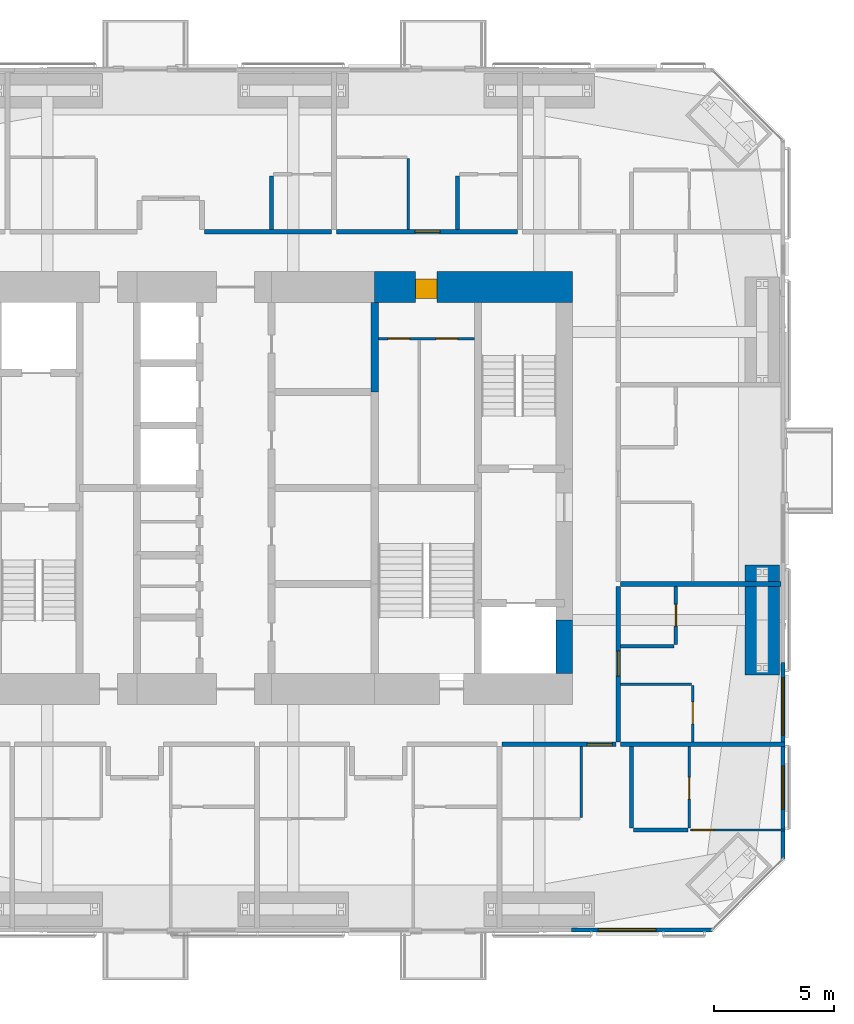
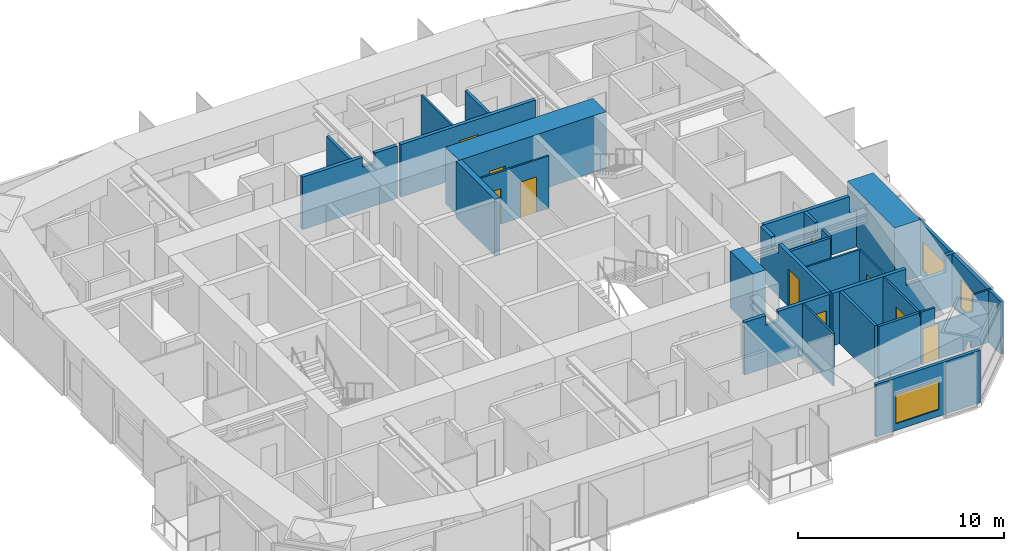
# One storey, part 19 of 22: 25 walls, 10 doors, 3 windows, 13 openings.
"""IFC4 building model written with IfcOpenShell, lengths in metres."""

from ifc_helpers import new_model, si_unit, direction, frame, frame_2d, origin, place, context, subcontext, project, spatial, polyline, rectangle, outline, extrude, material, layer, layer_set, constituent, constituent_set, type_object, element, fill, save


model = new_model("IFC4")

# Units and contexts
model_context = context("Model", 3, precision=1e-05, world=origin(), true_north=direction((0.0, 1.0)))
body_context = subcontext(model_context, "Body", "Model", "MODEL_VIEW")
ifc_project = project(units=[si_unit("LENGTHUNIT", "METRE"), si_unit("AREAUNIT", "SQUARE_METRE"), si_unit("VOLUMEUNIT", "CUBIC_METRE"), si_unit("PLANEANGLEUNIT", "RADIAN"), si_unit("MASSUNIT", "GRAM", prefix="KILO")], contexts=[model_context])

# Site, building, storey
site_placement = place(None, origin())
site = spatial("IfcSite", under=ifc_project, at=site_placement, CompositionType="ELEMENT")
building_placement = place(site_placement, origin())
building = spatial("IfcBuilding", under=site, at=building_placement, Name="Jalousie Tower", CompositionType="ELEMENT")
storey_placement = place(building_placement, frame((0.0, 0.0, 154.35009765625)))
storey = spatial("IfcBuildingStorey", under=building, at=storey_placement, Name="L41", CompositionType="ELEMENT", Elevation=154.35009765625)

# Walls
ifc_material_1 = material(Name="Concrete block ASTM C90", Category="concrete")
ifc_constituent_1 = constituent(ifc_material_1, Name="Body")
ifc_material_2 = material(Name="Render")
ifc_constituent_2 = constituent(ifc_material_2, Name="Finish")
ifc_constituent_set_1 = constituent_set(constituents=[ifc_constituent_1, ifc_constituent_2])
wall_type_1 = type_object("IfcWallType", Name="BATHROOM WALL 150", PredefinedType="PLUMBINGWALL", material=ifc_constituent_set_1)
wall_1_placement = place(storey_placement, frame((46.675048828125, 4.251708984375, 0.0), z_axis=(0.0, 0.0, 1.0), x_axis=(1.0, 0.0, 0.0)))
element("IfcWall", 1, at=wall_1_placement, inside=storey, type_object=wall_type_1, Name="Bathroom Wall 150 L41", PredefinedType="PLUMBINGWALL", context=body_context, shape_type="SweptSolid", body=[
    extrude(rectangle(XDim=2.27490234375, YDim=0.14990234375, at=frame_2d((1.137451171875, 0.0))), origin(), (0.0, 0.0, 1.0), 3.10986328125),
])
wall_2_placement = place(storey_placement, frame((46.60009765625, 4.32666015625, 0.0), z_axis=(0.0, 0.0, 1.0), x_axis=(0.0, 1.0, 0.0)))
element("IfcWall", 2, at=wall_2_placement, inside=storey, type_object=wall_type_1, Name="Bathroom Wall 150 L41", PredefinedType="PLUMBINGWALL", context=body_context, shape_type="SweptSolid", body=[
    extrude(rectangle(XDim=3.3984375, YDim=0.14990234375, at=frame_2d((1.69921875, 0.0))), origin(), (0.0, 0.0, 1.0), 3.10986328125),
])
for number, where, z_axis, x_axis, name in (
    (3, (31.60009765625, 31.5, 0.0), (0.0, 0.0, 1.0), (0.0, -1.0, 0.0), "Bathroom Wall 150 L41"),
    (4, (39.35009765625, 31.5, 0.0), (0.0, 0.0, 1.0), (0.0, -1.0, 0.0), "Bathroom Wall 150 L41"),
):
    element("IfcWall", number, at=place(storey_placement, frame(where, z_axis=z_axis, x_axis=x_axis)), inside=storey, type_object=wall_type_1, Name=name, PredefinedType="PLUMBINGWALL", context=body_context, shape_type="SweptSolid", body=[
        extrude(rectangle(XDim=2.22509765625, YDim=0.14990234375, at=frame_2d((1.112548828125, 0.0))), origin(), (0.0, 0.0, 1.0), 3.10986328125),
    ])

# Wall, opening, door
wall_3_placement = place(storey_placement, frame((48.449951171875, 11.97509765625, 0.0), z_axis=(0.0, 0.0, 1.0), x_axis=(0.0, 1.0, 0.0)))
wall_3 = element("IfcWall", 5, at=wall_3_placement, inside=storey, type_object=wall_type_1, Name="Bathroom Wall 150 L41", PredefinedType="PLUMBINGWALL", context=body_context, shape_type="SweptSolid", body=[
    extrude(outline(polyline([(0.0, 0.0), (2.4248046875, 0.0), (2.425048828125, 3.10986328125), (1.34619140625, 3.10986328125), (1.34619140625, 2.531005859375), (0.703857421875, 2.531005859375), (0.703857421875, 3.10986328125), (0.0, 3.10986328125), (0.0, 0.0)])), frame((0.0, 0.074951171875, 0.0), z_axis=(0.0, -1.0, 0.0), x_axis=(1.0, 0.0, 0.0)), (0.0, 0.0, 1.0), 0.14990234375),
])
opening_1_placement = place(wall_3_placement, frame((0.77490234375, 0.0, 0.0)))
opening_1 = element("IfcOpeningElement", 6, at=opening_1_placement, cuts=wall_3, Name="Opening D3", PredefinedType="OPENING", context=body_context, shape_type="SweptSolid", body=[
    extrude(rectangle(XDim=0.89990234375, YDim=2.10009765625, at=frame_2d((0.449951171875, 1.050048828125))), frame((0.0, 0.0849609375, 0.0), z_axis=(0.0, -1.0, 0.0), x_axis=(1.0, 0.0, 0.0)), (0.0, 0.0, 1.0), 0.169921875),
])
ifc_material_3 = material(Name="Timber door", Category="wood")
door_type_1 = type_object("IfcDoorType", Name="BATHROOM DOOR 900", OperationType="SINGLE_SWING_LEFT", PredefinedType="DOOR", material=ifc_material_3)
door_1_placement = place(opening_1_placement, origin())
door_1 = element("IfcDoor", 7, at=door_1_placement, inside=storey, type_object=door_type_1, Name="Apartment 4110 bathroom door", OperationType="SINGLE_SWING_RIGHT", OverallHeight=2.10009765625, OverallWidth=0.89990234375, PredefinedType="DOOR", context=body_context, shape_type="SweptSolid", body=[
    extrude(rectangle(XDim=0.89990234375, YDim=2.10009765625, at=frame_2d((0.449951171875, 1.050048828125))), frame((0.0, 0.02490234375, 0.0), z_axis=(0.0, -1.0, 0.0), x_axis=(1.0, 0.0, 0.0)), (0.0, 0.0, 1.0), 0.050048828125),
])
fill(opening_1, door_1)

# Wall
wall_4_placement = place(storey_placement, frame((48.375, 11.89990234375, 0.0), z_axis=(0.0, 0.0, 1.0), x_axis=(-1.0, 0.0, 0.0)))
element("IfcWall", 8, at=wall_4_placement, inside=storey, type_object=wall_type_1, Name="Bathroom Wall 150 L41", PredefinedType="PLUMBINGWALL", context=body_context, shape_type="SweptSolid", body=[
    extrude(rectangle(XDim=2.22509765625, YDim=0.14990234375, at=frame_2d((1.112548828125, 0.0))), origin(), (0.0, 0.0, 1.0), 3.10986328125),
])

# Wall, opening, door
ifc_material_4 = material(Name="Concrete f'c 120 MPa", Category="concrete")
ifc_layer_1 = layer(ifc_material_4, 1.300048828125)
ifc_layer_set_1 = layer_set([ifc_layer_1], Name="Concrete f'c 120 MPa")
wall_type_2 = type_object("IfcWallType", Name="CORE WALL 1300", PredefinedType="SHEAR", material=ifc_layer_set_1)
wall_5_placement = place(storey_placement, frame((44.14990234375, 26.875, 0.0), z_axis=(0.0, 0.0, 1.0), x_axis=(-1.0, 0.0, 0.0)))
wall_5 = element("IfcWall", 9, at=wall_5_placement, inside=storey, type_object=wall_type_2, Name="Core wall NA L41", PredefinedType="SHEAR", context=body_context, shape_type="SweptSolid", body=[
    extrude(rectangle(XDim=8.25, YDim=1.300048828125, at=frame_2d((4.125, 0.0))), origin(), (0.0, 0.0, 1.0), 3.349853515625),
])
opening_2_placement = place(wall_5_placement, frame((5.64990234375, 0.0, 0.0)))
opening_2 = element("IfcOpeningElement", 10, at=opening_2_placement, cuts=wall_5, Name="Opening D25", PredefinedType="OPENING", context=body_context, shape_type="SweptSolid", body=[
    extrude(rectangle(XDim=0.89990234375, YDim=2.10009765625, at=frame_2d((0.449951171875, 1.050048828125))), frame((0.0, 0.659912109375, 0.0), z_axis=(0.0, -1.0, 0.0), x_axis=(1.0, 0.0, 0.0)), (0.0, 0.0, 1.0), 1.320068359375),
])
ifc_material_5 = material(Name="Steel fire door", Category="steel")
door_type_2 = type_object("IfcDoorType", Name="SERVICE LOBBY DOOR 900", OperationType="SINGLE_SWING_LEFT", PredefinedType="DOOR", material=ifc_material_5)
door_2_placement = place(opening_2_placement, origin())
door_2 = element("IfcDoor", 11, at=door_2_placement, inside=storey, type_object=door_type_2, Name="Service lobby door", OperationType="SINGLE_SWING_RIGHT", OverallHeight=2.10009765625, OverallWidth=0.89990234375, PredefinedType="DOOR", context=body_context, shape_type="SweptSolid", body=[
    extrude(rectangle(XDim=0.89990234375, YDim=2.10009765625, at=frame_2d((0.449951171875, 1.050048828125))), frame((0.0, 0.47021484375, 0.0), z_axis=(0.0, -1.0, 0.0), x_axis=(1.0, 0.0, 0.0)), (0.0, 0.0, 1.0), 0.800048828125),
])
fill(opening_2, door_2)

# Walls
ifc_material_6 = material(Name="Concrete f'c 120 MPa", Category="concrete")
ifc_layer_2 = layer(ifc_material_6, 0.300048828125)
ifc_layer_set_2 = layer_set([ifc_layer_2], Name="Concrete f'c 120 MPa")
wall_type_3 = type_object("IfcWallType", Name="CORE WALL 300", PredefinedType="SHEAR", material=ifc_layer_set_2)
wall_6_placement = place(storey_placement, frame((35.89990234375, 22.5, 0.0), z_axis=(0.0, 0.0, 1.0), x_axis=(0.0, 1.0, 0.0)))
element("IfcWall", 12, at=wall_6_placement, inside=storey, type_object=wall_type_3, Name="Core wall X35.9D L41", PredefinedType="SHEAR", context=body_context, shape_type="SweptSolid", body=[
    extrude(rectangle(XDim=3.72509765625, YDim=0.300048828125, at=frame_2d((1.862548828125, 0.0))), origin(), (0.0, 0.0, 1.0), 3.349853515625),
])
ifc_material_7 = material(Name="Concrete f'c 120 MPa", Category="concrete")
ifc_layer_3 = layer(ifc_material_7, 0.699951171875)
ifc_layer_set_3 = layer_set([ifc_layer_3], Name="Concrete f'c 120 MPa")
wall_type_4 = type_object("IfcWallType", Name="CORE WALL 700", PredefinedType="SHEAR", material=ifc_layer_set_3)
wall_7_placement = place(storey_placement, frame((43.800048828125, 10.77490234375, 0.0), z_axis=(0.0, 0.0, 1.0), x_axis=(0.0, 1.0, 0.0)))
element("IfcWall", 13, at=wall_7_placement, inside=storey, type_object=wall_type_4, Name="Core wall EA L41", PredefinedType="SHEAR", context=body_context, shape_type="SweptSolid", body=[
    extrude(rectangle(XDim=2.22509765625, YDim=0.699951171875, at=frame_2d((1.112548828125, 0.0))), origin(), (0.0, 0.0, 1.0), 3.349853515625),
])

# Wall, opening, door
ifc_material_8 = material(Name="Concrete block ASTM C90", Category="concrete")
ifc_constituent_3 = constituent(ifc_material_8, Name="Body")
ifc_material_9 = material(Name="Render")
ifc_constituent_4 = constituent(ifc_material_9, Name="Finish")
ifc_constituent_set_2 = constituent_set(constituents=[ifc_constituent_3, ifc_constituent_4])
wall_type_5 = type_object("IfcWallType", Name="CORRIDOR WALL 200", PredefinedType="PARTITIONING", material=ifc_constituent_set_2)
wall_8_placement = place(storey_placement, frame((41.199951171875, 7.824951171875, 0.0), z_axis=(0.0, 0.0, 1.0), x_axis=(1.0, 0.0, 0.0)))
wall_8 = element("IfcWall", 14, at=wall_8_placement, inside=storey, type_object=wall_type_5, Name="Corridor Wall 200 L41", PredefinedType="PARTITIONING", context=body_context, shape_type="SweptSolid", body=[
    extrude(outline(polyline([(0.0, 0.0), (4.75, 0.0), (4.75, 3.10986328125), (1.896240234375, 3.10986328125), (1.896240234375, 2.531005859375), (1.203857421875, 2.531005859375), (1.203857421875, 3.10986328125), (0.0, 3.10986328125), (0.0, 0.0)])), frame((0.0, 0.10009765625, 0.0), z_axis=(0.0, -1.0, 0.0), x_axis=(1.0, 0.0, 0.0)), (0.0, 0.0, 1.0), 0.199951171875),
])
opening_3_placement = place(wall_8_placement, frame((3.550048828125, 0.0, 0.0)))
opening_3 = element("IfcOpeningElement", 15, at=opening_3_placement, cuts=wall_8, Name="Opening D1", PredefinedType="OPENING", context=body_context, shape_type="SweptSolid", body=[
    extrude(rectangle(XDim=1.050048828125, YDim=2.199951171875, at=frame_2d((0.52490234375, 1.10009765625))), frame((0.0, 0.10986328125, 0.0), z_axis=(0.0, -1.0, 0.0), x_axis=(1.0, 0.0, 0.0)), (0.0, 0.0, 1.0), 0.219970703125),
])
ifc_material_10 = material(Name="Timber fire door", Category="wood")
door_type_3 = type_object("IfcDoorType", Name="APARTMENT ENTRANCE DOOR 1050", OperationType="SINGLE_SWING_LEFT", PredefinedType="DOOR", material=ifc_material_10)
door_3_placement = place(opening_3_placement, frame((1.050048828125, 0.0, 0.0), z_axis=(0.0, 0.0, 1.0), x_axis=(-1.0, 0.0, 0.0)))
door_3 = element("IfcDoor", 16, at=door_3_placement, inside=storey, type_object=door_type_3, Name="Apartment 4104 entrance", OperationType="SINGLE_SWING_RIGHT", OverallHeight=2.199951171875, OverallWidth=1.050048828125, PredefinedType="DOOR", context=body_context, shape_type="SweptSolid", body=[
    extrude(rectangle(XDim=1.050048828125, YDim=2.199951171875, at=frame_2d((0.52490234375, 1.10009765625))), frame((0.0, 0.02490234375, 0.0), z_axis=(0.0, -1.0, 0.0), x_axis=(1.0, 0.0, 0.0)), (0.0, 0.0, 1.0), 0.050048828125),
])
fill(opening_3, door_3)

wall_9_placement = place(storey_placement, frame((34.300048828125, 29.175048828125, 0.0), z_axis=(0.0, 0.0, 1.0), x_axis=(1.0, 0.0, 0.0)))
wall_9 = element("IfcWall", 17, at=wall_9_placement, inside=storey, type_object=wall_type_5, Name="Corridor Wall 200 L41", PredefinedType="PARTITIONING", context=body_context, shape_type="SweptSolid", body=[
    extrude(rectangle(XDim=7.550048828125, YDim=0.199951171875, at=frame_2d((3.77490234375, 0.0))), origin(), (0.0, 0.0, 1.0), 3.10986328125),
])
opening_4_placement = place(wall_9_placement, frame((3.27490234375, 0.0, 0.0)))
opening_4 = element("IfcOpeningElement", 18, at=opening_4_placement, cuts=wall_9, Name="Opening D1", PredefinedType="OPENING", context=body_context, shape_type="SweptSolid", body=[
    extrude(rectangle(XDim=1.050048828125, YDim=2.199951171875, at=frame_2d((0.52490234375, 1.10009765625))), frame((0.0, 0.10986328125, 0.0), z_axis=(0.0, -1.0, 0.0), x_axis=(1.0, 0.0, 0.0)), (0.0, 0.0, 1.0), 0.219970703125),
])
door_4_placement = place(opening_4_placement, origin())
door_4 = element("IfcDoor", 19, at=door_4_placement, inside=storey, type_object=door_type_3, Name="Apartment 4107 entrance", OperationType="SINGLE_SWING_LEFT", OverallHeight=2.199951171875, OverallWidth=1.050048828125, PredefinedType="DOOR", context=body_context, shape_type="SweptSolid", body=[
    extrude(rectangle(XDim=1.050048828125, YDim=2.199951171875, at=frame_2d((0.52490234375, 1.10009765625))), frame((0.0, 0.02490234375, 0.0), z_axis=(0.0, -1.0, 0.0), x_axis=(1.0, 0.0, 0.0)), (0.0, 0.0, 1.0), 0.050048828125),
])
fill(opening_4, door_4)

wall_10_placement = place(storey_placement, frame((46.050048828125, 7.925048828125, 0.0), z_axis=(0.0, 0.0, 1.0), x_axis=(0.0, 1.0, 0.0)))
wall_10 = element("IfcWall", 20, at=wall_10_placement, inside=storey, type_object=wall_type_5, Name="Corridor Wall 200 L41", PredefinedType="PARTITIONING", context=body_context, shape_type="SweptSolid", body=[
    extrude(outline(polyline([(0.0, 0.0), (6.474853515625, 0.0), (6.47509765625, 3.10986328125), (5.421142578125, 3.10986328125), (5.421142578125, 2.531005859375), (4.728759765625, 2.531005859375), (4.728759765625, 3.10986328125), (0.0, 3.10986328125), (0.0, 0.0)])), frame((0.0, 0.10009765625, 0.0), z_axis=(0.0, -1.0, 0.0), x_axis=(1.0, 0.0, 0.0)), (0.0, 0.0, 1.0), 0.199951171875),
])
opening_5_placement = place(wall_10_placement, frame((2.737548828125, 0.0, 0.0)))
opening_5 = element("IfcOpeningElement", 21, at=opening_5_placement, cuts=wall_10, Name="Opening D1", PredefinedType="OPENING", context=body_context, shape_type="SweptSolid", body=[
    extrude(rectangle(XDim=1.050048828125, YDim=2.199951171875, at=frame_2d((0.52490234375, 1.10009765625))), frame((0.0, 0.10986328125, 0.0), z_axis=(0.0, -1.0, 0.0), x_axis=(1.0, 0.0, 0.0)), (0.0, 0.0, 1.0), 0.219970703125),
])
door_5_placement = place(opening_5_placement, frame((1.050048828125, 0.0, 0.0), z_axis=(0.0, 0.0, 1.0), x_axis=(-1.0, 0.0, 0.0)))
door_5 = element("IfcDoor", 22, at=door_5_placement, inside=storey, type_object=door_type_3, Name="Apartment 4110 entrance", OperationType="SINGLE_SWING_LEFT", OverallHeight=2.199951171875, OverallWidth=1.050048828125, PredefinedType="DOOR", context=body_context, shape_type="SweptSolid", body=[
    extrude(rectangle(XDim=1.050048828125, YDim=2.199951171875, at=frame_2d((0.52490234375, 1.10009765625))), frame((0.0, 0.02490234375, 0.0), z_axis=(0.0, -1.0, 0.0), x_axis=(1.0, 0.0, 0.0)), (0.0, 0.0, 1.0), 0.050048828125),
])
fill(opening_5, door_5)

# Wall
wall_11_placement = place(storey_placement, frame((28.800048828125, 29.175048828125, 0.0), z_axis=(0.0, 0.0, 1.0), x_axis=(1.0, 0.0, 0.0)))
element("IfcWall", 23, at=wall_11_placement, inside=storey, type_object=wall_type_5, Name="Corridor Wall 200 L41", PredefinedType="PARTITIONING", context=body_context, shape_type="SweptSolid", body=[
    extrude(outline(polyline([(0.0, 0.0), (5.300048828125, 0.0), (5.300048828125, 3.10986328125), (4.046142578125, 3.10986328125), (4.046142578125, 2.531005859375), (3.353759765625, 2.531005859375), (3.353759765625, 3.10986328125), (0.0, 3.10986328125), (0.0, 0.0)])), frame((0.0, 0.10009765625, 0.0), z_axis=(0.0, -1.0, 0.0), x_axis=(1.0, 0.0, 0.0)), (0.0, 0.0, 1.0), 0.199951171875),
])

# Wall, opening, window
ifc_material_11 = material(Name="Concrete f'c 40 MPa", Category="concrete")
ifc_constituent_5 = constituent(ifc_material_11, Name="Body")
ifc_material_12 = material(Name="Render, pastel lemon")
ifc_constituent_6 = constituent(ifc_material_12, Name="Finish")
ifc_constituent_set_3 = constituent_set(constituents=[ifc_constituent_5, ifc_constituent_6])
wall_type_6 = type_object("IfcWallType", Name="EXTERNAL WALL 175 LEMON RENDER", PredefinedType="SOLIDWALL", material=ifc_constituent_set_3)
wall_12_placement = place(storey_placement, frame((44.109130859375, 0.08740234375, 0.0), z_axis=(0.0, 0.0, 1.0), x_axis=(1.0, 0.0, 0.0)))
wall_12 = element("IfcWall", 24, at=wall_12_placement, inside=storey, type_object=wall_type_6, Name="External Wall 175 Lemon Render L41-C", PredefinedType="SOLIDWALL", context=body_context, shape_type="SweptSolid", body=[
    extrude(rectangle(XDim=5.839599609375, YDim=0.175048828125, at=frame_2d((2.919921875, 0.0))), origin(), (0.0, 0.0, 1.0), 3.10986328125),
])
opening_6_placement = place(wall_12_placement, frame((1.112548828125, 0.0, 0.39990234375)))
opening_6 = element("IfcOpeningElement", 25, at=opening_6_placement, cuts=wall_12, Name="Opening W-LIV170", PredefinedType="OPENING", context=body_context, shape_type="SweptSolid", body=[
    extrude(rectangle(XDim=2.39990234375, YDim=1.699951171875, at=frame_2d((1.199951171875, 0.85009765625))), frame((0.0, 0.097412109375, 0.0), z_axis=(0.0, -1.0, 0.0), x_axis=(1.0, 0.0, 0.0)), (0.0, 0.0, 1.0), 0.195068359375),
])
ifc_material_13 = material(Name="Aluminium frame, impact-rated glazing", Category="aluminium")
window_type_1 = type_object("IfcWindowType", Name="WINDOW LIV 2400x1700", PartitioningType="DOUBLE_PANEL_VERTICAL", PredefinedType="WINDOW", material=ifc_material_13)
window_1_placement = place(opening_6_placement, origin())
window_1 = element("IfcWindow", 26, at=window_1_placement, inside=storey, type_object=window_type_1, Name="Apartment 4104 living and dining room window", OverallHeight=1.699951171875, OverallWidth=2.39990234375, PartitioningType="SINGLE_PANEL", PredefinedType="WINDOW", context=body_context, shape_type="SweptSolid", body=[
    extrude(rectangle(XDim=2.39990234375, YDim=1.699951171875, at=frame_2d((1.199951171875, 0.85009765625))), frame((0.0, 0.030029296875, 0.0), z_axis=(0.0, -1.0, 0.0), x_axis=(1.0, 0.0, 0.0)), (0.0, 0.0, 1.0), 0.06005859375),
])
fill(opening_6, window_1)

# Wall, openings, windows
wall_13_placement = place(storey_placement, frame((52.91259765625, 3.05126953125, 0.0), z_axis=(0.0, 0.0, 1.0), x_axis=(0.0, 1.0, 0.0)))
wall_13 = element("IfcWall", 27, at=wall_13_placement, inside=storey, type_object=wall_type_6, Name="External Wall 175 Lemon Render L41-A", PredefinedType="SOLIDWALL", context=body_context, shape_type="SweptSolid", body=[
    extrude(rectangle(XDim=8.169677734375, YDim=0.175048828125, at=frame_2d((4.0849609375, 0.0))), origin(), (0.0, 0.0, 1.0), 3.10986328125),
])
opening_7_placement = place(wall_13_placement, frame((2.06201171875, 0.0, 0.39990234375)))
opening_7 = element("IfcOpeningElement", 28, at=opening_7_placement, cuts=wall_13, Name="Opening W-BED170", PredefinedType="OPENING", context=body_context, shape_type="SweptSolid", body=[
    extrude(rectangle(XDim=1.800048828125, YDim=1.699951171875, at=frame_2d((0.89990234375, 0.85009765625))), frame((0.0, 0.097412109375, 0.0), z_axis=(0.0, -1.0, 0.0), x_axis=(1.0, 0.0, 0.0)), (0.0, 0.0, 1.0), 0.195068359375),
])
opening_8_placement = place(wall_13_placement, frame((5.148681640625, 0.0, 0.39990234375)))
opening_8 = element("IfcOpeningElement", 29, at=opening_8_placement, cuts=wall_13, Name="Opening W-LIV170", PredefinedType="OPENING", context=body_context, shape_type="SweptSolid", body=[
    extrude(rectangle(XDim=2.39990234375, YDim=1.699951171875, at=frame_2d((1.199951171875, 0.85009765625))), frame((0.0, 0.097412109375, 0.0), z_axis=(0.0, -1.0, 0.0), x_axis=(1.0, 0.0, 0.0)), (0.0, 0.0, 1.0), 0.195068359375),
])
ifc_material_14 = material(Name="Aluminium frame, impact-rated glazing", Category="aluminium")
window_type_2 = type_object("IfcWindowType", Name="WINDOW BED 1800x1700", PartitioningType="SINGLE_PANEL", PredefinedType="WINDOW", material=ifc_material_14)
window_2_placement = place(opening_7_placement, origin())
window_2 = element("IfcWindow", 30, at=window_2_placement, inside=storey, type_object=window_type_2, Name="Apartment 4104 bedroom 1 window", OverallHeight=1.699951171875, OverallWidth=1.800048828125, PartitioningType="SINGLE_PANEL", PredefinedType="WINDOW", context=body_context, shape_type="SweptSolid", body=[
    extrude(rectangle(XDim=1.800048828125, YDim=1.699951171875, at=frame_2d((0.89990234375, 0.85009765625))), frame((0.0, 0.030029296875, 0.0), z_axis=(0.0, -1.0, 0.0), x_axis=(1.0, 0.0, 0.0)), (0.0, 0.0, 1.0), 0.06005859375),
])
fill(opening_7, window_2)
window_3_placement = place(opening_8_placement, origin())
window_3 = element("IfcWindow", 31, at=window_3_placement, inside=storey, type_object=window_type_1, Name="Apartment 4110 studio living and sleeping room window", OverallHeight=1.699951171875, OverallWidth=2.39990234375, PartitioningType="SINGLE_PANEL", PredefinedType="WINDOW", context=body_context, shape_type="SweptSolid", body=[
    extrude(rectangle(XDim=2.39990234375, YDim=1.699951171875, at=frame_2d((1.199951171875, 0.85009765625))), frame((0.0, 0.030029296875, 0.0), z_axis=(0.0, -1.0, 0.0), x_axis=(1.0, 0.0, 0.0)), (0.0, 0.0, 1.0), 0.06005859375),
])
fill(opening_8, window_3)

# Wall, opening, door
ifc_material_15 = material(Name="Gypsum board", Category="gypsum")
ifc_constituent_7 = constituent(ifc_material_15, Name="Body")
ifc_material_16 = material(Name="Light-gauge steel studs ASTM A653 SS Grade 33", Category="steel")
ifc_constituent_8 = constituent(ifc_material_16, Name="Framing")
ifc_constituent_set_4 = constituent_set(constituents=[ifc_constituent_7, ifc_constituent_8])
wall_type_7 = type_object("IfcWallType", Name="PARTITION 100", PredefinedType="PARTITIONING", material=ifc_constituent_set_4)
wall_14_placement = place(storey_placement, frame((49.0, 4.32666015625, 0.0), z_axis=(0.0, 0.0, 1.0), x_axis=(0.0, 1.0, 0.0)))
wall_14 = element("IfcWall", 32, at=wall_14_placement, inside=storey, type_object=wall_type_7, Name="Partition 100 L41", PredefinedType="PARTITIONING", context=body_context, shape_type="SweptSolid", body=[
    extrude(rectangle(XDim=3.3984375, YDim=0.10009765625, at=frame_2d((1.69921875, 0.0))), origin(), (0.0, 0.0, 1.0), 3.10986328125),
])
opening_9_placement = place(wall_14_placement, frame((1.211669921875, 0.0, 0.0)))
opening_9 = element("IfcOpeningElement", 33, at=opening_9_placement, cuts=wall_14, Name="Opening D3", PredefinedType="OPENING", context=body_context, shape_type="SweptSolid", body=[
    extrude(rectangle(XDim=0.89990234375, YDim=2.10009765625, at=frame_2d((0.449951171875, 1.050048828125))), frame((0.0, 0.06005859375, 0.0), z_axis=(0.0, -1.0, 0.0), x_axis=(1.0, 0.0, 0.0)), (0.0, 0.0, 1.0), 0.1201171875),
])
door_6_placement = place(opening_9_placement, origin())
door_6 = element("IfcDoor", 34, at=door_6_placement, inside=storey, type_object=door_type_1, Name="Apartment 4104 bedroom 1 bathroom door", OperationType="SINGLE_SWING_LEFT", OverallHeight=2.10009765625, OverallWidth=0.89990234375, PredefinedType="DOOR", context=body_context, shape_type="SweptSolid", body=[
    extrude(rectangle(XDim=0.89990234375, YDim=2.10009765625, at=frame_2d((0.449951171875, 1.050048828125))), frame((0.0, 0.02490234375, 0.0), z_axis=(0.0, -1.0, 0.0), x_axis=(1.0, 0.0, 0.0)), (0.0, 0.0, 1.0), 0.050048828125),
])
fill(opening_9, door_6)

wall_15_placement = place(storey_placement, frame((49.050048828125, 4.251708984375, 0.0), z_axis=(0.0, 0.0, 1.0), x_axis=(1.0, 0.0, 0.0)))
wall_15 = element("IfcWall", 35, at=wall_15_placement, inside=storey, type_object=wall_type_7, Name="Partition 100 L41", PredefinedType="PARTITIONING", context=body_context, shape_type="SweptSolid", body=[
    extrude(outline(polyline([(0.7822265625, 3.10986328125), (0.0, 3.10986328125), (0.0, 0.0), (2.451171875, 0.0), (2.639404296875, 0.45849609375), (2.730224609375, 0.4267578125), (2.810546875, 0.393798828125), (2.810546875, 0.0), (3.949951171875, 0.0), (3.949951171875, 3.10986328125), (2.92041015625, 3.10986328125), (2.92041015625, 2.14990234375), (0.7822265625, 2.14990234375), (0.7822265625, 3.10986328125)])), frame((0.0, 0.050048828125, 0.0), z_axis=(0.0, -1.0, 0.0), x_axis=(1.0, 0.0, 0.0)), (0.0, 0.0, 1.0), 0.10009765625),
])
opening_10_placement = place(wall_15_placement, frame((0.10009765625, 0.0, 0.0)))
opening_10 = element("IfcOpeningElement", 36, at=opening_10_placement, cuts=wall_15, Name="Opening D2", PredefinedType="OPENING", context=body_context, shape_type="SweptSolid", body=[
    extrude(rectangle(XDim=0.89990234375, YDim=2.10009765625, at=frame_2d((0.449951171875, 1.050048828125))), frame((0.0, 0.06005859375, 0.0), z_axis=(0.0, -1.0, 0.0), x_axis=(1.0, 0.0, 0.0)), (0.0, 0.0, 1.0), 0.1201171875),
])
ifc_material_17 = material(Name="Timber door", Category="wood")
door_type_4 = type_object("IfcDoorType", Name="BEDROOM DOOR 900", OperationType="SINGLE_SWING_LEFT", PredefinedType="DOOR", material=ifc_material_17)
door_7_placement = place(opening_10_placement, origin())
door_7 = element("IfcDoor", 37, at=door_7_placement, inside=storey, type_object=door_type_4, Name="Apartment 4104 bedroom 1 door", OperationType="SINGLE_SWING_LEFT", OverallHeight=2.10009765625, OverallWidth=0.89990234375, PredefinedType="DOOR", context=body_context, shape_type="SweptSolid", body=[
    extrude(rectangle(XDim=0.89990234375, YDim=2.10009765625, at=frame_2d((0.449951171875, 1.050048828125))), frame((0.0, 0.02490234375, 0.0), z_axis=(0.0, -1.0, 0.0), x_axis=(1.0, 0.0, 0.0)), (0.0, 0.0, 1.0), 0.050048828125),
])
fill(opening_10, door_7)

# Walls
for number, where, z_axis, x_axis, name in (
    (38, (44.5, 4.77490234375, 0.0), (0.0, 0.0, 1.0), (0.0, 1.0, 0.0), "Partition 100 L41"),
    (39, (37.300048828125, 32.22509765625, 0.0), (0.0, 0.0, 1.0), (0.0, -1.0, 0.0), "Partition 100 L41"),
):
    element("IfcWall", number, at=place(storey_placement, frame(where, z_axis=z_axis, x_axis=x_axis)), inside=storey, type_object=wall_type_7, Name=name, PredefinedType="PARTITIONING", context=body_context, shape_type="SweptSolid", body=[
        extrude(rectangle(XDim=2.9501953125, YDim=0.10009765625, at=frame_2d((1.47509765625, 0.0))), origin(), (0.0, 0.0, 1.0), 3.10986328125),
    ])

# Wall, opening, door
wall_16_placement = place(storey_placement, frame((49.14990234375, 7.925048828125, 0.0), z_axis=(0.0, 0.0, 1.0), x_axis=(0.0, 1.0, 0.0)))
wall_16 = element("IfcWall", 40, at=wall_16_placement, inside=storey, type_object=wall_type_7, Name="Partition 100 L41", PredefinedType="PARTITIONING", context=body_context, shape_type="SweptSolid", body=[
    extrude(rectangle(XDim=2.349853515625, YDim=0.10009765625, at=frame_2d((1.1748046875, 0.0))), origin(), (0.0, 0.0, 1.0), 3.10986328125),
])
opening_11_placement = place(wall_16_placement, frame((0.75, 0.0, 0.0)))
opening_11 = element("IfcOpeningElement", 41, at=opening_11_placement, cuts=wall_16, Name="Opening D7", PredefinedType="OPENING", context=body_context, shape_type="SweptSolid", body=[
    extrude(rectangle(XDim=0.89990234375, YDim=2.10009765625, at=frame_2d((0.449951171875, 1.050048828125))), frame((0.0, 0.06005859375, 0.0), z_axis=(0.0, -1.0, 0.0), x_axis=(1.0, 0.0, 0.0)), (0.0, 0.0, 1.0), 0.1201171875),
])
ifc_material_18 = material(Name="Timber door", Category="wood")
door_type_5 = type_object("IfcDoorType", Name="INTERNAL DOOR 900", OperationType="SINGLE_SWING_LEFT", PredefinedType="DOOR", material=ifc_material_18)
door_8_placement = place(opening_11_placement, origin())
door_8 = element("IfcDoor", 42, at=door_8_placement, inside=storey, type_object=door_type_5, Name="Apartment 4110 kitchen door", OperationType="SINGLE_SWING_RIGHT", OverallHeight=2.10009765625, OverallWidth=0.89990234375, PredefinedType="DOOR", context=body_context, shape_type="SweptSolid", body=[
    extrude(rectangle(XDim=0.89990234375, YDim=2.10009765625, at=frame_2d((0.449951171875, 1.050048828125))), frame((0.0, 0.02490234375, 0.0), z_axis=(0.0, -1.0, 0.0), x_axis=(1.0, 0.0, 0.0)), (0.0, 0.0, 1.0), 0.050048828125),
])
fill(opening_11, door_8)

# Wall
wall_17_placement = place(storey_placement, frame((49.10009765625, 10.324951171875, 0.0), z_axis=(0.0, 0.0, 1.0), x_axis=(-1.0, 0.0, 0.0)))
element("IfcWall", 43, at=wall_17_placement, inside=storey, type_object=wall_type_7, Name="Partition 100 L41", PredefinedType="PARTITIONING", context=body_context, shape_type="SweptSolid", body=[
    extrude(rectangle(XDim=2.9501953125, YDim=0.10009765625, at=frame_2d((1.47509765625, 0.0))), origin(), (0.0, 0.0, 1.0), 3.10986328125),
])

# Wall, openings, doors
wall_18_placement = place(storey_placement, frame((36.050048828125, 24.72509765625, 0.0), z_axis=(0.0, 0.0, 1.0), x_axis=(1.0, 0.0, 0.0)))
wall_18 = element("IfcWall", 44, at=wall_18_placement, inside=storey, type_object=wall_type_7, Name="Partition 100 L41", PredefinedType="PARTITIONING", context=body_context, shape_type="SweptSolid", body=[
    extrude(rectangle(XDim=4.0, YDim=0.10009765625, at=frame_2d((2.0, 0.0))), origin(), (0.0, 0.0, 1.0), 3.10986328125),
])
opening_12_placement = place(wall_18_placement, frame((0.39990234375, 0.0, 0.0)))
opening_12 = element("IfcOpeningElement", 45, at=opening_12_placement, cuts=wall_18, Name="Opening D7", PredefinedType="OPENING", context=body_context, shape_type="SweptSolid", body=[
    extrude(rectangle(XDim=0.89990234375, YDim=2.10009765625, at=frame_2d((0.449951171875, 1.050048828125))), frame((0.0, 0.06005859375, 0.0), z_axis=(0.0, -1.0, 0.0), x_axis=(1.0, 0.0, 0.0)), (0.0, 0.0, 1.0), 0.1201171875),
])
opening_13_placement = place(wall_18_placement, frame((2.39990234375, 0.0, 0.0)))
opening_13 = element("IfcOpeningElement", 46, at=opening_13_placement, cuts=wall_18, Name="Opening D7", PredefinedType="OPENING", context=body_context, shape_type="SweptSolid", body=[
    extrude(rectangle(XDim=0.89990234375, YDim=2.10009765625, at=frame_2d((0.449951171875, 1.050048828125))), frame((0.0, 0.06005859375, 0.0), z_axis=(0.0, -1.0, 0.0), x_axis=(1.0, 0.0, 0.0)), (0.0, 0.0, 1.0), 0.1201171875),
])
door_9_placement = place(opening_12_placement, frame((0.89990234375, 0.0, 0.0), z_axis=(0.0, 0.0, 1.0), x_axis=(-1.0, 0.0, 0.0)))
door_9 = element("IfcDoor", 47, at=door_9_placement, inside=storey, type_object=door_type_5, Name="Staff WC door", OperationType="SINGLE_SWING_LEFT", OverallHeight=2.10009765625, OverallWidth=0.89990234375, PredefinedType="DOOR", context=body_context, shape_type="SweptSolid", body=[
    extrude(rectangle(XDim=0.89990234375, YDim=2.10009765625, at=frame_2d((0.449951171875, 1.050048828125))), frame((0.0, 0.02490234375, 0.0), z_axis=(0.0, -1.0, 0.0), x_axis=(1.0, 0.0, 0.0)), (0.0, 0.0, 1.0), 0.050048828125),
])
fill(opening_12, door_9)
door_10_placement = place(opening_13_placement, frame((0.89990234375, 0.0, 0.0), z_axis=(0.0, 0.0, 1.0), x_axis=(-1.0, 0.0, 0.0)))
door_10 = element("IfcDoor", 48, at=door_10_placement, inside=storey, type_object=door_type_5, Name="Pantry door", OperationType="SINGLE_SWING_RIGHT", OverallHeight=2.10009765625, OverallWidth=0.89990234375, PredefinedType="DOOR", context=body_context, shape_type="SweptSolid", body=[
    extrude(rectangle(XDim=0.89990234375, YDim=2.10009765625, at=frame_2d((0.449951171875, 1.050048828125))), frame((0.0, 0.02490234375, 0.0), z_axis=(0.0, -1.0, 0.0), x_axis=(1.0, 0.0, 0.0)), (0.0, 0.0, 1.0), 0.050048828125),
])
fill(opening_13, door_10)

# Walls
ifc_material_19 = material(Name="Concrete block ASTM C90", Category="concrete")
ifc_constituent_9 = constituent(ifc_material_19, Name="Body")
ifc_material_20 = material(Name="Render")
ifc_constituent_10 = constituent(ifc_material_20, Name="Finish")
ifc_constituent_set_5 = constituent_set(constituents=[ifc_constituent_9, ifc_constituent_10])
wall_type_8 = type_object("IfcWallType", Name="PARTY WALL 200", PredefinedType="PARTITIONING", material=ifc_constituent_set_5)
wall_19_placement = place(storey_placement, frame((46.14990234375, 7.824951171875, 0.0), z_axis=(0.0, 0.0, 1.0), x_axis=(1.0, 0.0, 0.0)))
element("IfcWall", 49, at=wall_19_placement, inside=storey, type_object=wall_type_8, Name="Party Wall 200 L41", PredefinedType="PARTITIONING", context=body_context, shape_type="SweptSolid", body=[
    extrude(outline(polyline([(0.0, 0.0), (6.85009765625, 0.0), (6.85009765625, 3.10986328125), (6.340087890625, 3.10986328125), (6.340087890625, 2.14990234375), (4.10107421875, 2.14990234375), (4.10107421875, 3.10986328125), (0.0, 3.10986328125), (0.0, 0.0)])), frame((0.0, 0.10009765625, 0.0), z_axis=(0.0, -1.0, 0.0), x_axis=(1.0, 0.0, 0.0)), (0.0, 0.0, 1.0), 0.199951171875),
])
wall_20_placement = place(storey_placement, frame((52.824951171875, 14.5, 0.0), z_axis=(0.0, 0.0, 1.0), x_axis=(-1.0, 0.0, 0.0)))
element("IfcWall", 50, at=wall_20_placement, inside=storey, type_object=wall_type_8, Name="Party Wall 200 L41", PredefinedType="PARTITIONING", context=body_context, shape_type="SweptSolid", body=[
    extrude(outline(polyline([(0.52880859375, 2.14990234375), (0.0, 2.14990234375), (0.0, 0.0), (0.52880859375, 0.0), (0.52880859375, 0.169677734375), (1.021240234375, 0.169677734375), (1.021240234375, 0.0), (6.675048828125, 0.0), (6.675048828125, 3.10986328125), (1.885009765625, 3.10986328125), (1.885009765625, 2.14990234375), (1.021240234375, 2.14990234375), (1.021240234375, 1.830322265625), (0.52880859375, 1.830322265625), (0.52880859375, 2.14990234375)])), frame((0.0, 0.10009765625, 0.0), z_axis=(0.0, -1.0, 0.0), x_axis=(1.0, 0.0, 0.0)), (0.0, 0.0, 1.0), 0.199951171875),
])
ifc_material_21 = material(Name="Concrete f'c 120 MPa", Category="concrete")
ifc_layer_4 = layer(ifc_material_21, 1.449951171875)
ifc_layer_set_4 = layer_set([ifc_layer_4], Name="Concrete f'c 120 MPa")
wall_type_9 = type_object("IfcWallType", Name="RC WALL PIER 1450", PredefinedType="SHEAR", material=ifc_layer_set_4)
wall_21_placement = place(storey_placement, frame((52.050048828125, 10.699951171875, 0.0), z_axis=(0.0, 0.0, 1.0), x_axis=(0.0, 1.0, 0.0)))
element("IfcWall", 51, at=wall_21_placement, inside=storey, type_object=wall_type_9, Name="Wall pier 06 L41", PredefinedType="SHEAR", context=body_context, shape_type="SweptSolid", body=[
    extrude(rectangle(XDim=4.60009765625, YDim=1.449951171875, at=frame_2d((2.300048828125, 0.0))), origin(), (0.0, 0.0, 1.0), 3.349853515625),
])

save(model, "model.ifc")
